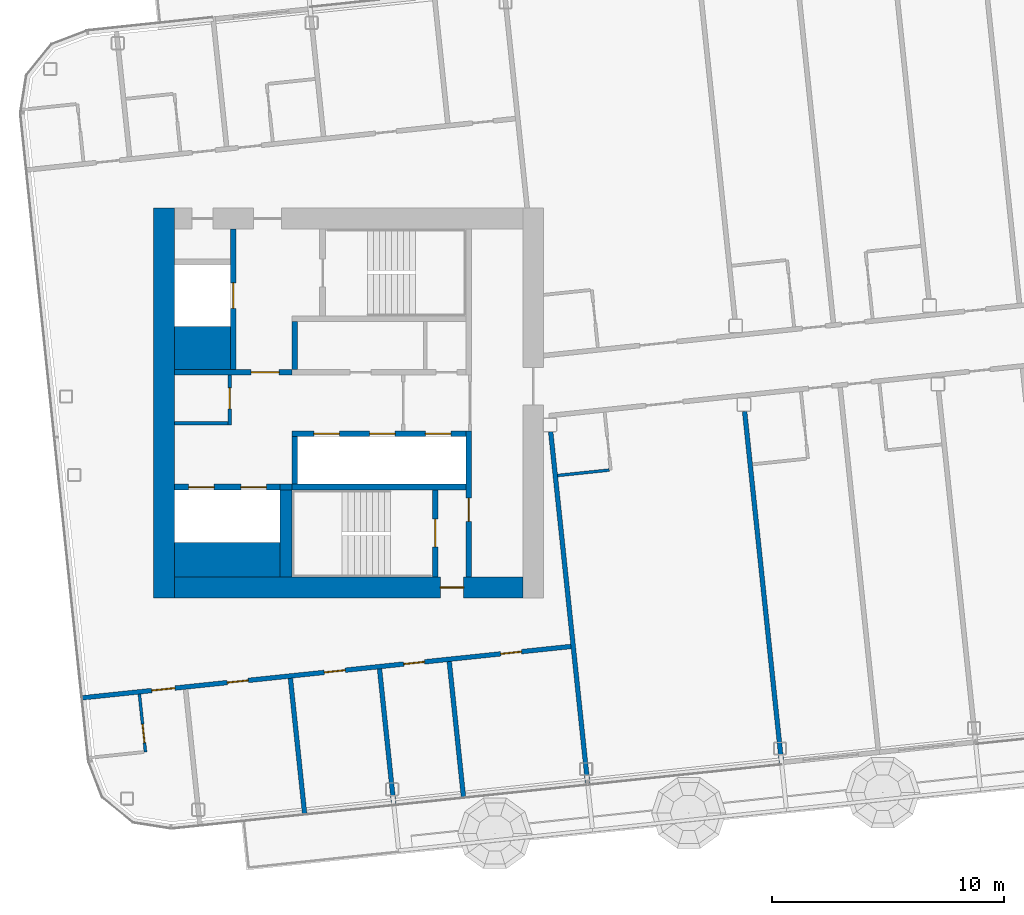
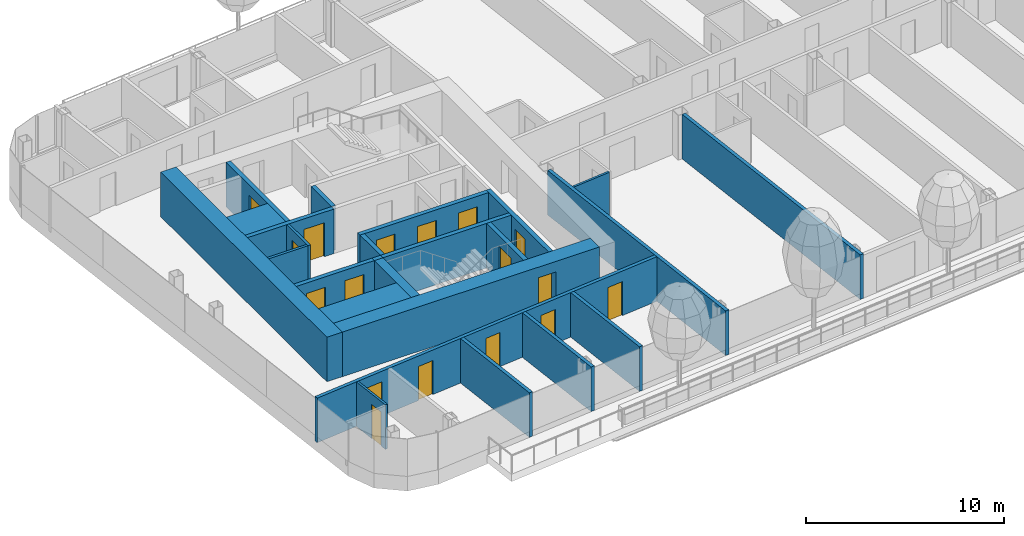
# One storey, part 12 of 30: 25 walls, 17 doors, 17 openings.
"""IFC4 building model written with IfcOpenShell, lengths in metres."""

from ifc_helpers import new_model, si_unit, direction, frame, frame_2d, origin, place, context, subcontext, project, spatial, rectangle, extrude, material, layer, layer_set, type_object, element, fill, save


model = new_model("IFC4")

# Units and contexts
model_context = context("Model", 3, precision=1e-05, world=origin(), true_north=direction((0.0, 1.0)))
body_context = subcontext(model_context, "Body", "Model", "MODEL_VIEW")
ifc_project = project(units=[si_unit("LENGTHUNIT", "METRE"), si_unit("AREAUNIT", "SQUARE_METRE"), si_unit("VOLUMEUNIT", "CUBIC_METRE"), si_unit("PLANEANGLEUNIT", "RADIAN"), si_unit("MASSUNIT", "GRAM", prefix="KILO")], contexts=[model_context])

# Site, building, storey
site_placement = place(None, origin())
site = spatial("IfcSite", under=ifc_project, at=site_placement, CompositionType="ELEMENT")
building_placement = place(site_placement, origin())
building = spatial("IfcBuilding", under=site, at=building_placement, Name="Hakoniwa Tower and Hamabe Station Hall", CompositionType="ELEMENT")
storey_placement = place(building_placement, frame((0.0, 0.0, 245.39990234375)))
storey = spatial("IfcBuildingStorey", under=building, at=storey_placement, Name="L69", CompositionType="ELEMENT", Elevation=245.39990234375)

# Wall, opening, door
ifc_material_1 = material(Name="Gypsum board partition", Category="gypsum")
ifc_layer_1 = layer(ifc_material_1, 0.125)
ifc_layer_set_1 = layer_set([ifc_layer_1], Name="Bathroom Partition 125")
wall_type_1 = type_object("IfcWallType", Name="Bathroom Partition 125", PredefinedType="PARTITIONING", material=ifc_layer_set_1)
wall_1_placement = place(storey_placement, frame((-33.95361328125, -15.029296875, 0.0), z_axis=(0.0, 0.0, 1.0), x_axis=(-0.104588199498, 0.994515615024, 0.0)))
wall_1 = element("IfcWall", 1, at=wall_1_placement, inside=storey, type_object=wall_type_1, Name="GW-L69-021", PredefinedType="PARTITIONING", context=body_context, shape_type="SweptSolid", body=[
    extrude(rectangle(XDim=2.5, YDim=0.125, at=frame_2d((1.25, 0.0))), origin(), (0.0, 0.0, 1.0), 2.75),
])
opening_1_placement = place(wall_1_placement, frame((0.39990234375, 0.0, 0.0)))
opening_1 = element("IfcOpeningElement", 2, at=opening_1_placement, cuts=wall_1, Name="Opening GD-G5C0-29", PredefinedType="OPENING", context=body_context, shape_type="SweptSolid", body=[
    extrude(rectangle(XDim=0.800048828125, YDim=2.10009765625, at=frame_2d((0.39990234375, 1.050048828125))), frame((0.0, 0.072509765625, 0.0), z_axis=(0.0, -1.0, 0.0), x_axis=(1.0, 0.0, 0.0)), (0.0, 0.0, 1.0), 0.14501953125),
])
ifc_material_2 = material(Name="Timber door leaf", Category="wood")
door_type_1 = type_object("IfcDoorType", Name="Bathroom Door 800", OperationType="SINGLE_SWING_LEFT", PredefinedType="DOOR", material=ifc_material_2)
door_1_placement = place(opening_1_placement, origin())
door_1 = element("IfcDoor", 3, at=door_1_placement, inside=storey, type_object=door_type_1, Name="Door GD-G5C0-29", OperationType="SINGLE_SWING_RIGHT", OverallHeight=2.10009765625, OverallWidth=0.800048828125, PredefinedType="DOOR", context=body_context, shape_type="SweptSolid", body=[
    extrude(rectangle(XDim=0.800048828125, YDim=2.10009765625, at=frame_2d((0.39990234375, 1.050048828125))), frame((0.0, 0.02490234375, 0.0), z_axis=(0.0, -1.0, 0.0), x_axis=(1.0, 0.0, 0.0)), (0.0, 0.0, 1.0), 0.050048828125),
])
fill(opening_1, door_1)

ifc_material_3 = material(Name="Gypsum board partition")
ifc_layer_2 = layer(ifc_material_3, 0.14990234375)
ifc_layer_set_2 = layer_set([ifc_layer_2], Name="CORE PARTITION 150 EI 60")
wall_type_2 = type_object("IfcWallType", Name="CORE PARTITION 150 EI 60", PredefinedType="PARTITIONING", material=ifc_layer_set_2)
wall_2_placement = place(storey_placement, frame((-30.324951171875, -0.949951171875, 0.0), z_axis=(0.0, 0.0, 1.0), x_axis=(0.0, 1.0, 0.0)))
wall_2 = element("IfcWall", 4, at=wall_2_placement, inside=storey, type_object=wall_type_2, Name="Core partition PW0 west", PredefinedType="PARTITIONING", context=body_context, shape_type="SweptSolid", body=[
    extrude(rectangle(XDim=2.14990234375, YDim=0.14990234375, at=frame_2d((1.074951171875, 0.0))), origin(), (0.0, 0.0, 1.0), 2.75),
])
opening_2_placement = place(wall_2_placement, frame((0.699951171875, 0.0, 0.0)))
opening_2 = element("IfcOpeningElement", 5, at=opening_2_placement, cuts=wall_2, Name="Opening CD-W-RM1-9", PredefinedType="OPENING", context=body_context, shape_type="SweptSolid", body=[
    extrude(rectangle(XDim=0.89990234375, YDim=2.10009765625, at=frame_2d((0.449951171875, 1.050048828125))), frame((0.0, 0.0849609375, 0.0), z_axis=(0.0, -1.0, 0.0), x_axis=(1.0, 0.0, 0.0)), (0.0, 0.0, 1.0), 0.169921875),
])
ifc_material_4 = material(Name="Steel fire door", Category="steel")
door_type_2 = type_object("IfcDoorType", Name="CORE DOOR 900 FD30", OperationType="NOTDEFINED", PredefinedType="DOOR", material=ifc_material_4)
door_2_placement = place(opening_2_placement, origin())
door_2 = element("IfcDoor", 6, at=door_2_placement, inside=storey, type_object=door_type_2, Name="Store room door", OperationType="SINGLE_SWING_LEFT", OverallHeight=2.10009765625, OverallWidth=0.89990234375, PredefinedType="DOOR", context=body_context, shape_type="SweptSolid", body=[
    extrude(rectangle(XDim=0.89990234375, YDim=2.10009765625, at=frame_2d((0.449951171875, 1.050048828125))), frame((0.0, 0.02490234375, 0.0), z_axis=(0.0, -1.0, 0.0), x_axis=(1.0, 0.0, 0.0)), (0.0, 0.0, 1.0), 0.050048828125),
])
fill(opening_2, door_2)

# Walls
wall_3_placement = place(storey_placement, frame((-32.699951171875, -0.875, 0.0), z_axis=(0.0, 0.0, 1.0), x_axis=(1.0, 0.0, 0.0)))
element("IfcWall", 7, at=wall_3_placement, inside=storey, type_object=wall_type_2, Name="Core partition PS west", PredefinedType="PARTITIONING", context=body_context, shape_type="SweptSolid", body=[
    extrude(rectangle(XDim=2.300048828125, YDim=0.14990234375, at=frame_2d((1.14990234375, 0.0))), origin(), (0.0, 0.0, 1.0), 2.75),
])
ifc_material_5 = material(Name="Concrete C60", Category="concrete")
ifc_layer_3 = layer(ifc_material_5, 0.89990234375)
ifc_layer_set_3 = layer_set([ifc_layer_3], Name="CORE WALL 900 C60")
wall_type_3 = type_object("IfcWallType", Name="CORE WALL 900 C60", PredefinedType="SHEAR", material=ifc_layer_set_3)
wall_4_placement = place(storey_placement, frame((-33.14990234375, -8.39990234375, 0.0), z_axis=(0.0, 0.0, 1.0), x_axis=(0.0, 1.0, 0.0)))
element("IfcWall", 8, at=wall_4_placement, inside=storey, type_object=wall_type_3, Name="Core wall OUTER west", PredefinedType="SHEAR", context=body_context, shape_type="SweptSolid", body=[
    extrude(rectangle(XDim=16.7998046875, YDim=0.89990234375, at=frame_2d((8.39990234375, 0.0))), origin(), (0.0, 0.0, 1.0), 2.75),
])

# Wall, opening, door
wall_5_placement = place(storey_placement, frame((-32.699951171875, -7.949951171875, 0.0), z_axis=(0.0, 0.0, 1.0), x_axis=(1.0, 0.0, 0.0)))
wall_5 = element("IfcWall", 9, at=wall_5_placement, inside=storey, type_object=wall_type_3, Name="Core wall SOUTH west", PredefinedType="SHEAR", context=body_context, shape_type="SweptSolid", body=[
    extrude(rectangle(XDim=15.0, YDim=0.89990234375, at=frame_2d((7.5, 0.0))), origin(), (0.0, 0.0, 1.0), 2.75),
])
opening_3_placement = place(wall_5_placement, frame((11.449951171875, 0.0, 0.0)))
opening_3 = element("IfcOpeningElement", 10, at=opening_3_placement, cuts=wall_5, Name="Opening CD-W-FS3-10", PredefinedType="OPENING", context=body_context, shape_type="SweptSolid", body=[
    extrude(rectangle(XDim=1.0, YDim=2.10009765625, at=frame_2d((0.5, 1.050048828125))), frame((0.0, 0.4599609375, 0.0), z_axis=(0.0, -1.0, 0.0), x_axis=(1.0, 0.0, 0.0)), (0.0, 0.0, 1.0), 0.919921875),
])
ifc_material_6 = material(Name="Steel fire door", Category="steel")
door_type_3 = type_object("IfcDoorType", Name="CORE DOOR 1000 FD60", OperationType="NOTDEFINED", PredefinedType="DOOR", material=ifc_material_6)
door_3_placement = place(opening_3_placement, origin())
door_3 = element("IfcDoor", 11, at=door_3_placement, inside=storey, type_object=door_type_3, Name="Stair vestibule door", OperationType="SINGLE_SWING_RIGHT", OverallHeight=2.10009765625, OverallWidth=1.0, PredefinedType="DOOR", context=body_context, shape_type="SweptSolid", body=[
    extrude(rectangle(XDim=1.0, YDim=2.10009765625, at=frame_2d((0.5, 1.050048828125))), frame((0.0, 0.02490234375, 0.0), z_axis=(0.0, -1.0, 0.0), x_axis=(1.0, 0.0, 0.0)), (0.0, 0.0, 1.0), 0.050048828125),
])
fill(opening_3, door_3)

# Walls
ifc_material_7 = material(Name="Concrete C60", Category="concrete")
ifc_layer_4 = layer(ifc_material_7, 1.5)
ifc_layer_set_4 = layer_set([ifc_layer_4], Name="CORE WEB WALL 1500 C60")
wall_type_4 = type_object("IfcWallType", Name="CORE WEB WALL 1500 C60", PredefinedType="SHEAR", material=ifc_layer_set_4)
wall_6_placement = place(storey_placement, frame((-32.699951171875, -6.75, 0.0), z_axis=(0.0, 0.0, 1.0), x_axis=(1.0, 0.0, 0.0)))
element("IfcWall", 12, at=wall_6_placement, inside=storey, type_object=wall_type_4, Name="Core wall SER west", PredefinedType="SHEAR", context=body_context, shape_type="SweptSolid", body=[
    extrude(rectangle(XDim=4.550048828125, YDim=1.5, at=frame_2d((2.27490234375, 0.0))), origin(), (0.0, 0.0, 1.0), 2.75),
])
ifc_material_8 = material(Name="Concrete C60", Category="concrete")
ifc_layer_5 = layer(ifc_material_8, 1.85009765625)
ifc_layer_set_5 = layer_set([ifc_layer_5], Name="CORE WEB WALL 1850 C60")
wall_type_5 = type_object("IfcWallType", Name="CORE WEB WALL 1850 C60", PredefinedType="SHEAR", material=ifc_layer_set_5)
wall_7_placement = place(storey_placement, frame((-32.699951171875, 2.375, 0.0), z_axis=(0.0, 0.0, 1.0), x_axis=(1.0, 0.0, 0.0)))
element("IfcWall", 13, at=wall_7_placement, inside=storey, type_object=wall_type_5, Name="Core wall CA west", PredefinedType="SHEAR", context=body_context, shape_type="SweptSolid", body=[
    extrude(rectangle(XDim=2.39990234375, YDim=1.85009765625, at=frame_2d((1.199951171875, 0.0))), origin(), (0.0, 0.0, 1.0), 2.75),
])

# Wall, opening, door
ifc_material_9 = material(Name="Concrete C60", Category="concrete")
ifc_layer_6 = layer(ifc_material_9, 0.25)
ifc_layer_set_6 = layer_set([ifc_layer_6], Name="CORE WEB WALL 250 C60")
wall_type_6 = type_object("IfcWallType", Name="CORE WEB WALL 250 C60", PredefinedType="SHEAR", material=ifc_layer_set_6)
wall_8_placement = place(storey_placement, frame((-20.02490234375, -7.5, 0.0), z_axis=(0.0, 0.0, 1.0), x_axis=(0.0, 1.0, 0.0)))
wall_8 = element("IfcWall", 14, at=wall_8_placement, inside=storey, type_object=wall_type_6, Name="Core wall W1S west", PredefinedType="SHEAR", context=body_context, shape_type="SweptSolid", body=[
    extrude(rectangle(XDim=6.300048828125, YDim=0.25, at=frame_2d((3.14990234375, 0.0))), origin(), (0.0, 0.0, 1.0), 2.75),
])
opening_4_placement = place(wall_8_placement, frame((2.39990234375, 0.0, 0.0)))
opening_4 = element("IfcOpeningElement", 15, at=opening_4_placement, cuts=wall_8, Name="Opening CD-W-VS-10", PredefinedType="OPENING", context=body_context, shape_type="SweptSolid", body=[
    extrude(rectangle(XDim=1.0, YDim=2.10009765625, at=frame_2d((0.5, 1.050048828125))), frame((0.0, 0.135009765625, 0.0), z_axis=(0.0, -1.0, 0.0), x_axis=(1.0, 0.0, 0.0)), (0.0, 0.0, 1.0), 0.27001953125),
])
door_4_placement = place(opening_4_placement, origin())
door_4 = element("IfcDoor", 16, at=door_4_placement, inside=storey, type_object=door_type_3, Name="Stair vestibule door", OperationType="SINGLE_SWING_LEFT", OverallHeight=2.10009765625, OverallWidth=1.0, PredefinedType="DOOR", context=body_context, shape_type="SweptSolid", body=[
    extrude(rectangle(XDim=1.0, YDim=2.10009765625, at=frame_2d((0.5, 1.050048828125))), frame((0.0, 0.02490234375, 0.0), z_axis=(0.0, -1.0, 0.0), x_axis=(1.0, 0.0, 0.0)), (0.0, 0.0, 1.0), 0.050048828125),
])
fill(opening_4, door_4)

# Wall
wall_9_placement = place(storey_placement, frame((-27.52490234375, 1.449951171875, 0.0), z_axis=(0.0, 0.0, 1.0), x_axis=(0.0, 1.0, 0.0)))
element("IfcWall", 17, at=wall_9_placement, inside=storey, type_object=wall_type_6, Name="Core wall NE west", PredefinedType="SHEAR", context=body_context, shape_type="SweptSolid", body=[
    extrude(rectangle(XDim=2.050048828125, YDim=0.25, at=frame_2d((1.02490234375, 0.0))), origin(), (0.0, 0.0, 1.0), 2.75),
])

# Wall, opening, door
wall_10_placement = place(storey_placement, frame((-32.699951171875, 1.324951171875, 0.0), z_axis=(0.0, 0.0, 1.0), x_axis=(1.0, 0.0, 0.0)))
wall_10 = element("IfcWall", 18, at=wall_10_placement, inside=storey, type_object=wall_type_6, Name="Core wall ELN west", PredefinedType="SHEAR", context=body_context, shape_type="SweptSolid", body=[
    extrude(rectangle(XDim=5.050048828125, YDim=0.25, at=frame_2d((2.52490234375, 0.0))), origin(), (0.0, 0.0, 1.0), 2.75),
])
opening_5_placement = place(wall_10_placement, frame((3.300048828125, 0.0, 0.0)))
opening_5 = element("IfcOpeningElement", 19, at=opening_5_placement, cuts=wall_10, Name="Opening CD-W-FL-12", PredefinedType="OPENING", context=body_context, shape_type="SweptSolid", body=[
    extrude(rectangle(XDim=1.199951171875, YDim=2.10009765625, at=frame_2d((0.60009765625, 1.050048828125))), frame((0.0, 0.135009765625, 0.0), z_axis=(0.0, -1.0, 0.0), x_axis=(1.0, 0.0, 0.0)), (0.0, 0.0, 1.0), 0.27001953125),
])
ifc_material_10 = material(Name="Steel fire door", Category="steel")
door_type_4 = type_object("IfcDoorType", Name="CORE DOOR 1200 FD60", OperationType="DOUBLE_DOOR_SINGLE_SWING", PredefinedType="DOOR", material=ifc_material_10)
door_5_placement = place(opening_5_placement, origin())
door_5 = element("IfcDoor", 20, at=door_5_placement, inside=storey, type_object=door_type_4, Name="Stair vestibule door to the fire-fighting lobby", OperationType="DOUBLE_DOOR_SINGLE_SWING", OverallHeight=2.10009765625, OverallWidth=1.199951171875, PredefinedType="DOOR", context=body_context, shape_type="SweptSolid", body=[
    extrude(rectangle(XDim=1.199951171875, YDim=2.10009765625, at=frame_2d((0.60009765625, 1.050048828125))), frame((0.0, 0.02490234375, 0.0), z_axis=(0.0, -1.0, 0.0), x_axis=(1.0, 0.0, 0.0)), (0.0, 0.0, 1.0), 0.050048828125),
])
fill(opening_5, door_5)

wall_11_placement = place(storey_placement, frame((-30.175048828125, 1.449951171875, 0.0), z_axis=(0.0, 0.0, 1.0), x_axis=(0.0, 1.0, 0.0)))
wall_11 = element("IfcWall", 21, at=wall_11_placement, inside=storey, type_object=wall_type_6, Name="Core wall FFF west", PredefinedType="SHEAR", context=body_context, shape_type="SweptSolid", body=[
    extrude(rectangle(XDim=6.050048828125, YDim=0.25, at=frame_2d((3.02490234375, 0.0))), origin(), (0.0, 0.0, 1.0), 2.75),
])
opening_6_placement = place(wall_11_placement, frame((2.625, 0.0, 0.0)))
opening_6 = element("IfcOpeningElement", 22, at=opening_6_placement, cuts=wall_11, Name="Opening LD-FF1", PredefinedType="OPENING", context=body_context, shape_type="SweptSolid", body=[
    extrude(rectangle(XDim=1.10009765625, YDim=2.10009765625, at=frame_2d((0.550048828125, 1.050048828125))), frame((0.0, 0.135009765625, 0.0), z_axis=(0.0, -1.0, 0.0), x_axis=(1.0, 0.0, 0.0)), (0.0, 0.0, 1.0), 0.27001953125),
])
ifc_material_11 = material(Name="Stainless steel SUS304", Category="steel")
door_type_5 = type_object("IfcDoorType", Name="LIFT LANDING DOOR 1100 FD60", OperationType="DOUBLE_DOOR_SLIDING", PredefinedType="DOOR", material=ifc_material_11)
door_6_placement = place(opening_6_placement, origin())
door_6 = element("IfcDoor", 23, at=door_6_placement, inside=storey, type_object=door_type_5, Name="Lift landing door FF1 L69", OperationType="DOUBLE_DOOR_SLIDING", OverallHeight=2.10009765625, OverallWidth=1.10009765625, PredefinedType="DOOR", context=body_context, shape_type="SweptSolid", body=[
    extrude(rectangle(XDim=1.10009765625, YDim=2.10009765625, at=frame_2d((0.550048828125, 1.050048828125))), frame((0.0, 0.02490234375, 0.0), z_axis=(0.0, -1.0, 0.0), x_axis=(1.0, 0.0, 0.0)), (0.0, 0.0, 1.0), 0.050048828125),
])
fill(opening_6, door_6)

# Wall, openings, doors
wall_12_placement = place(storey_placement, frame((-27.64990234375, -1.324951171875, 0.0), z_axis=(0.0, 0.0, 1.0), x_axis=(1.0, 0.0, 0.0)))
wall_12 = element("IfcWall", 24, at=wall_12_placement, inside=storey, type_object=wall_type_6, Name="Core wall SF west", PredefinedType="SHEAR", context=body_context, shape_type="SweptSolid", body=[
    extrude(rectangle(XDim=7.5, YDim=0.25, at=frame_2d((3.75, 0.0))), origin(), (0.0, 0.0, 1.0), 2.75),
])
opening_7_placement = place(wall_12_placement, frame((5.75, 0.0, 0.0)))
opening_7 = element("IfcOpeningElement", 25, at=opening_7_placement, cuts=wall_12, Name="Opening LD-HR1", PredefinedType="OPENING", context=body_context, shape_type="SweptSolid", body=[
    extrude(rectangle(XDim=1.10009765625, YDim=2.10009765625, at=frame_2d((0.550048828125, 1.050048828125))), frame((0.0, 0.135009765625, 0.0), z_axis=(0.0, -1.0, 0.0), x_axis=(1.0, 0.0, 0.0)), (0.0, 0.0, 1.0), 0.27001953125),
])
opening_8_placement = place(wall_12_placement, frame((3.35009765625, 0.0, 0.0)))
opening_8 = element("IfcOpeningElement", 26, at=opening_8_placement, cuts=wall_12, Name="Opening LD-HR2", PredefinedType="OPENING", context=body_context, shape_type="SweptSolid", body=[
    extrude(rectangle(XDim=1.10009765625, YDim=2.10009765625, at=frame_2d((0.550048828125, 1.050048828125))), frame((0.0, 0.135009765625, 0.0), z_axis=(0.0, -1.0, 0.0), x_axis=(1.0, 0.0, 0.0)), (0.0, 0.0, 1.0), 0.27001953125),
])
opening_9_placement = place(wall_12_placement, frame((0.949951171875, 0.0, 0.0)))
opening_9 = element("IfcOpeningElement", 27, at=opening_9_placement, cuts=wall_12, Name="Opening LD-HR3", PredefinedType="OPENING", context=body_context, shape_type="SweptSolid", body=[
    extrude(rectangle(XDim=1.10009765625, YDim=2.10009765625, at=frame_2d((0.550048828125, 1.050048828125))), frame((0.0, 0.135009765625, 0.0), z_axis=(0.0, -1.0, 0.0), x_axis=(1.0, 0.0, 0.0)), (0.0, 0.0, 1.0), 0.27001953125),
])
door_7_placement = place(opening_7_placement, origin())
door_7 = element("IfcDoor", 28, at=door_7_placement, inside=storey, type_object=door_type_5, Name="Lift landing door HR1 L69", OperationType="DOUBLE_DOOR_SLIDING", OverallHeight=2.10009765625, OverallWidth=1.10009765625, PredefinedType="DOOR", context=body_context, shape_type="SweptSolid", body=[
    extrude(rectangle(XDim=1.10009765625, YDim=2.10009765625, at=frame_2d((0.550048828125, 1.050048828125))), frame((0.0, 0.02490234375, 0.0), z_axis=(0.0, -1.0, 0.0), x_axis=(1.0, 0.0, 0.0)), (0.0, 0.0, 1.0), 0.050048828125),
])
fill(opening_7, door_7)
door_8_placement = place(opening_8_placement, origin())
door_8 = element("IfcDoor", 29, at=door_8_placement, inside=storey, type_object=door_type_5, Name="Lift landing door HR2 L69", OperationType="DOUBLE_DOOR_SLIDING", OverallHeight=2.10009765625, OverallWidth=1.10009765625, PredefinedType="DOOR", context=body_context, shape_type="SweptSolid", body=[
    extrude(rectangle(XDim=1.10009765625, YDim=2.10009765625, at=frame_2d((0.550048828125, 1.050048828125))), frame((0.0, 0.02490234375, 0.0), z_axis=(0.0, -1.0, 0.0), x_axis=(1.0, 0.0, 0.0)), (0.0, 0.0, 1.0), 0.050048828125),
])
fill(opening_8, door_8)
door_9_placement = place(opening_9_placement, origin())
door_9 = element("IfcDoor", 30, at=door_9_placement, inside=storey, type_object=door_type_5, Name="Lift landing door HR3 L69", OperationType="DOUBLE_DOOR_SLIDING", OverallHeight=2.10009765625, OverallWidth=1.10009765625, PredefinedType="DOOR", context=body_context, shape_type="SweptSolid", body=[
    extrude(rectangle(XDim=1.10009765625, YDim=2.10009765625, at=frame_2d((0.550048828125, 1.050048828125))), frame((0.0, 0.02490234375, 0.0), z_axis=(0.0, -1.0, 0.0), x_axis=(1.0, 0.0, 0.0)), (0.0, 0.0, 1.0), 0.050048828125),
])
fill(opening_9, door_9)

# Walls
wall_13_placement = place(storey_placement, frame((-27.52490234375, -3.5, 0.0), z_axis=(0.0, 0.0, 1.0), x_axis=(0.0, 1.0, 0.0)))
element("IfcWall", 31, at=wall_13_placement, inside=storey, type_object=wall_type_6, Name="Core wall SE west", PredefinedType="SHEAR", context=body_context, shape_type="SweptSolid", body=[
    extrude(rectangle(XDim=2.050048828125, YDim=0.25, at=frame_2d((1.02490234375, 0.0))), origin(), (0.0, 0.0, 1.0), 2.75),
])
wall_14_placement = place(storey_placement, frame((-27.64990234375, -3.625, 0.0), z_axis=(0.0, 0.0, 1.0), x_axis=(1.0, 0.0, 0.0)))
element("IfcWall", 32, at=wall_14_placement, inside=storey, type_object=wall_type_6, Name="Core wall SR west", PredefinedType="SHEAR", context=body_context, shape_type="SweptSolid", body=[
    extrude(rectangle(XDim=7.5, YDim=0.25, at=frame_2d((3.75, 0.0))), origin(), (0.0, 0.0, 1.0), 2.75),
])

# Wall, opening, door
wall_15_placement = place(storey_placement, frame((-21.47509765625, -7.5, 0.0), z_axis=(0.0, 0.0, 1.0), x_axis=(0.0, 1.0, 0.0)))
wall_15 = element("IfcWall", 33, at=wall_15_placement, inside=storey, type_object=wall_type_6, Name="Core wall VE west", PredefinedType="SHEAR", context=body_context, shape_type="SweptSolid", body=[
    extrude(rectangle(XDim=3.75, YDim=0.25, at=frame_2d((1.875, 0.0))), origin(), (0.0, 0.0, 1.0), 2.75),
])
opening_10_placement = place(wall_15_placement, frame((1.300048828125, 0.0, 0.0)))
opening_10 = element("IfcOpeningElement", 34, at=opening_10_placement, cuts=wall_15, Name="Opening CD-W-SS-12", PredefinedType="OPENING", context=body_context, shape_type="SweptSolid", body=[
    extrude(rectangle(XDim=1.199951171875, YDim=2.10009765625, at=frame_2d((0.60009765625, 1.050048828125))), frame((0.0, 0.135009765625, 0.0), z_axis=(0.0, -1.0, 0.0), x_axis=(1.0, 0.0, 0.0)), (0.0, 0.0, 1.0), 0.27001953125),
])
door_10_placement = place(opening_10_placement, origin())
door_10 = element("IfcDoor", 35, at=door_10_placement, inside=storey, type_object=door_type_4, Name="Escape stair door", OperationType="DOUBLE_DOOR_SINGLE_SWING", OverallHeight=2.10009765625, OverallWidth=1.199951171875, PredefinedType="DOOR", context=body_context, shape_type="SweptSolid", body=[
    extrude(rectangle(XDim=1.199951171875, YDim=2.10009765625, at=frame_2d((0.60009765625, 1.050048828125))), frame((0.0, 0.02490234375, 0.0), z_axis=(0.0, -1.0, 0.0), x_axis=(1.0, 0.0, 0.0)), (0.0, 0.0, 1.0), 0.050048828125),
])
fill(opening_10, door_10)

# Wall, openings, doors
wall_16_placement = place(storey_placement, frame((-32.699951171875, -3.625, 0.0), z_axis=(0.0, 0.0, 1.0), x_axis=(1.0, 0.0, 0.0)))
wall_16 = element("IfcWall", 36, at=wall_16_placement, inside=storey, type_object=wall_type_6, Name="Core wall SEF west", PredefinedType="SHEAR", context=body_context, shape_type="SweptSolid", body=[
    extrude(rectangle(XDim=4.550048828125, YDim=0.25, at=frame_2d((2.27490234375, 0.0))), origin(), (0.0, 0.0, 1.0), 2.75),
])
opening_11_placement = place(wall_16_placement, frame((2.85009765625, 0.0, 0.0)))
opening_11 = element("IfcOpeningElement", 37, at=opening_11_placement, cuts=wall_16, Name="Opening LD-SV1", PredefinedType="OPENING", context=body_context, shape_type="SweptSolid", body=[
    extrude(rectangle(XDim=1.10009765625, YDim=2.10009765625, at=frame_2d((0.550048828125, 1.050048828125))), frame((0.0, 0.135009765625, 0.0), z_axis=(0.0, -1.0, 0.0), x_axis=(1.0, 0.0, 0.0)), (0.0, 0.0, 1.0), 0.27001953125),
])
opening_12_placement = place(wall_16_placement, frame((0.60009765625, 0.0, 0.0)))
opening_12 = element("IfcOpeningElement", 38, at=opening_12_placement, cuts=wall_16, Name="Opening LD-SV2", PredefinedType="OPENING", context=body_context, shape_type="SweptSolid", body=[
    extrude(rectangle(XDim=1.10009765625, YDim=2.10009765625, at=frame_2d((0.550048828125, 1.050048828125))), frame((0.0, 0.135009765625, 0.0), z_axis=(0.0, -1.0, 0.0), x_axis=(1.0, 0.0, 0.0)), (0.0, 0.0, 1.0), 0.27001953125),
])
door_11_placement = place(opening_11_placement, origin())
door_11 = element("IfcDoor", 39, at=door_11_placement, inside=storey, type_object=door_type_5, Name="Lift landing door SV1 L69", OperationType="DOUBLE_DOOR_SLIDING", OverallHeight=2.10009765625, OverallWidth=1.10009765625, PredefinedType="DOOR", context=body_context, shape_type="SweptSolid", body=[
    extrude(rectangle(XDim=1.10009765625, YDim=2.10009765625, at=frame_2d((0.550048828125, 1.050048828125))), frame((0.0, 0.02490234375, 0.0), z_axis=(0.0, -1.0, 0.0), x_axis=(1.0, 0.0, 0.0)), (0.0, 0.0, 1.0), 0.050048828125),
])
fill(opening_11, door_11)
door_12_placement = place(opening_12_placement, origin())
door_12 = element("IfcDoor", 40, at=door_12_placement, inside=storey, type_object=door_type_5, Name="Lift landing door SV2 L69", OperationType="DOUBLE_DOOR_SLIDING", OverallHeight=2.10009765625, OverallWidth=1.10009765625, PredefinedType="DOOR", context=body_context, shape_type="SweptSolid", body=[
    extrude(rectangle(XDim=1.10009765625, YDim=2.10009765625, at=frame_2d((0.550048828125, 1.050048828125))), frame((0.0, 0.02490234375, 0.0), z_axis=(0.0, -1.0, 0.0), x_axis=(1.0, 0.0, 0.0)), (0.0, 0.0, 1.0), 0.050048828125),
])
fill(opening_12, door_12)

# Walls
wall_17_placement = place(storey_placement, frame((-28.14990234375, -3.625, 0.0), z_axis=(0.0, 0.0, 1.0), x_axis=(1.0, 0.0, 0.0)))
element("IfcWall", 41, at=wall_17_placement, inside=storey, type_object=wall_type_6, Name="Core wall SRK west", PredefinedType="SHEAR", context=body_context, shape_type="SweptSolid", body=[
    extrude(rectangle(XDim=0.5, YDim=0.25, at=frame_2d((0.25, 0.0))), origin(), (0.0, 0.0, 1.0), 2.75),
])
ifc_material_12 = material(Name="Concrete C60", Category="concrete")
ifc_layer_7 = layer(ifc_material_12, 0.5)
ifc_layer_set_7 = layer_set([ifc_layer_7], Name="CORE WEB WALL 500 C60")
wall_type_7 = type_object("IfcWallType", Name="CORE WEB WALL 500 C60", PredefinedType="SHEAR", material=ifc_layer_set_7)
wall_18_placement = place(storey_placement, frame((-27.89990234375, -7.5, 0.0), z_axis=(0.0, 0.0, 1.0), x_axis=(0.0, 1.0, 0.0)))
element("IfcWall", 42, at=wall_18_placement, inside=storey, type_object=wall_type_7, Name="Core wall SSE west", PredefinedType="SHEAR", context=body_context, shape_type="SweptSolid", body=[
    extrude(rectangle(XDim=3.75, YDim=0.5, at=frame_2d((1.875, 0.0))), origin(), (0.0, 0.0, 1.0), 2.75),
])

# Wall, openings, doors
ifc_material_13 = material(Name="Fire-rated gypsum board partition", Category="gypsum")
ifc_layer_8 = layer(ifc_material_13, 0.199951171875)
ifc_layer_set_8 = layer_set([ifc_layer_8], Name="Corridor Wall 200")
wall_type_8 = type_object("IfcWallType", Name="Corridor Wall 200", PredefinedType="PARTITIONING", material=ifc_layer_set_8)
wall_19_placement = place(storey_placement, frame((-36.711669921875, -12.704833984375, 0.0), z_axis=(0.0, 0.0, 1.0), x_axis=(0.994522460242, 0.104523088709, 0.0)))
wall_19 = element("IfcWall", 43, at=wall_19_placement, inside=storey, type_object=wall_type_8, Name="GW-L69-003", PredefinedType="PARTITIONING", context=body_context, shape_type="SweptSolid", body=[
    extrude(rectangle(XDim=21.2998046875, YDim=0.199951171875, at=frame_2d((10.64990234375, 0.0))), origin(), (0.0, 0.0, 1.0), 2.75),
])
opening_13_placement = place(wall_19_placement, frame((3.050048828125, 0.0, 0.0)))
opening_13 = element("IfcOpeningElement", 44, at=opening_13_placement, cuts=wall_19, Name="Opening GD-G5C0-01", PredefinedType="OPENING", context=body_context, shape_type="SweptSolid", body=[
    extrude(rectangle(XDim=1.0, YDim=2.10009765625, at=frame_2d((0.5, 1.050048828125))), frame((0.0, 0.10986328125, 0.0), z_axis=(0.0, -1.0, 0.0), x_axis=(1.0, 0.0, 0.0)), (0.0, 0.0, 1.0), 0.219970703125),
])
opening_14_placement = place(wall_19_placement, frame((6.320068359375, 0.0, 0.0)))
opening_14 = element("IfcOpeningElement", 45, at=opening_14_placement, cuts=wall_19, Name="Opening GD-G5C0-02", PredefinedType="OPENING", context=body_context, shape_type="SweptSolid", body=[
    extrude(rectangle(XDim=0.89990234375, YDim=2.10009765625, at=frame_2d((0.449951171875, 1.050048828125))), frame((0.0, 0.10986328125, 0.0), z_axis=(0.0, -1.0, 0.0), x_axis=(1.0, 0.0, 0.0)), (0.0, 0.0, 1.0), 0.219970703125),
])
opening_15_placement = place(wall_19_placement, frame((10.52001953125, 0.0, 0.0)))
opening_15 = element("IfcOpeningElement", 46, at=opening_15_placement, cuts=wall_19, Name="Opening GD-G5C0-03", PredefinedType="OPENING", context=body_context, shape_type="SweptSolid", body=[
    extrude(rectangle(XDim=0.89990234375, YDim=2.10009765625, at=frame_2d((0.449951171875, 1.050048828125))), frame((0.0, 0.10986328125, 0.0), z_axis=(0.0, -1.0, 0.0), x_axis=(1.0, 0.0, 0.0)), (0.0, 0.0, 1.0), 0.219970703125),
])
opening_16_placement = place(wall_19_placement, frame((13.9599609375, 0.0, 0.0)))
opening_16 = element("IfcOpeningElement", 47, at=opening_16_placement, cuts=wall_19, Name="Opening GD-G5C0-04", PredefinedType="OPENING", context=body_context, shape_type="SweptSolid", body=[
    extrude(rectangle(XDim=0.89990234375, YDim=2.10009765625, at=frame_2d((0.449951171875, 1.050048828125))), frame((0.0, 0.10986328125, 0.0), z_axis=(0.0, -1.0, 0.0), x_axis=(1.0, 0.0, 0.0)), (0.0, 0.0, 1.0), 0.219970703125),
])
opening_17_placement = place(wall_19_placement, frame((18.159912109375, 0.0, 0.0)))
opening_17 = element("IfcOpeningElement", 48, at=opening_17_placement, cuts=wall_19, Name="Opening GD-G5C0-05", PredefinedType="OPENING", context=body_context, shape_type="SweptSolid", body=[
    extrude(rectangle(XDim=0.89990234375, YDim=2.10009765625, at=frame_2d((0.449951171875, 1.050048828125))), frame((0.0, 0.10986328125, 0.0), z_axis=(0.0, -1.0, 0.0), x_axis=(1.0, 0.0, 0.0)), (0.0, 0.0, 1.0), 0.219970703125),
])
ifc_material_14 = material(Name="Timber door leaf", Category="wood")
door_type_6 = type_object("IfcDoorType", Name="Guest Entrance Door 1000", OperationType="SINGLE_SWING_LEFT", PredefinedType="DOOR", material=ifc_material_14)
door_13_placement = place(opening_13_placement, origin())
door_13 = element("IfcDoor", 49, at=door_13_placement, inside=storey, type_object=door_type_6, Name="Door GD-G5C0-01", OperationType="SINGLE_SWING_RIGHT", OverallHeight=2.10009765625, OverallWidth=1.0, PredefinedType="DOOR", context=body_context, shape_type="SweptSolid", body=[
    extrude(rectangle(XDim=1.0, YDim=2.10009765625, at=frame_2d((0.5, 1.050048828125))), frame((0.0, 0.02490234375, 0.0), z_axis=(0.0, -1.0, 0.0), x_axis=(1.0, 0.0, 0.0)), (0.0, 0.0, 1.0), 0.050048828125),
])
fill(opening_13, door_13)
ifc_material_15 = material(Name="Timber door leaf", Category="wood")
door_type_7 = type_object("IfcDoorType", Name="Service Door 900", OperationType="SINGLE_SWING_LEFT", PredefinedType="DOOR", material=ifc_material_15)
door_14_placement = place(opening_14_placement, origin())
door_14 = element("IfcDoor", 50, at=door_14_placement, inside=storey, type_object=door_type_7, Name="Door GD-G5C0-02", OperationType="SINGLE_SWING_LEFT", OverallHeight=2.10009765625, OverallWidth=0.89990234375, PredefinedType="DOOR", context=body_context, shape_type="SweptSolid", body=[
    extrude(rectangle(XDim=0.89990234375, YDim=2.10009765625, at=frame_2d((0.449951171875, 1.050048828125))), frame((0.0, 0.02490234375, 0.0), z_axis=(0.0, -1.0, 0.0), x_axis=(1.0, 0.0, 0.0)), (0.0, 0.0, 1.0), 0.050048828125),
])
fill(opening_14, door_14)
door_15_placement = place(opening_15_placement, origin())
door_15 = element("IfcDoor", 51, at=door_15_placement, inside=storey, type_object=door_type_7, Name="Door GD-G5C0-03", OperationType="SINGLE_SWING_RIGHT", OverallHeight=2.10009765625, OverallWidth=0.89990234375, PredefinedType="DOOR", context=body_context, shape_type="SweptSolid", body=[
    extrude(rectangle(XDim=0.89990234375, YDim=2.10009765625, at=frame_2d((0.449951171875, 1.050048828125))), frame((0.0, 0.02490234375, 0.0), z_axis=(0.0, -1.0, 0.0), x_axis=(1.0, 0.0, 0.0)), (0.0, 0.0, 1.0), 0.050048828125),
])
fill(opening_15, door_15)
door_16_placement = place(opening_16_placement, origin())
door_16 = element("IfcDoor", 52, at=door_16_placement, inside=storey, type_object=door_type_7, Name="Door GD-G5C0-04", OperationType="SINGLE_SWING_LEFT", OverallHeight=2.10009765625, OverallWidth=0.89990234375, PredefinedType="DOOR", context=body_context, shape_type="SweptSolid", body=[
    extrude(rectangle(XDim=0.89990234375, YDim=2.10009765625, at=frame_2d((0.449951171875, 1.050048828125))), frame((0.0, 0.02490234375, 0.0), z_axis=(0.0, -1.0, 0.0), x_axis=(1.0, 0.0, 0.0)), (0.0, 0.0, 1.0), 0.050048828125),
])
fill(opening_16, door_16)
door_17_placement = place(opening_17_placement, origin())
door_17 = element("IfcDoor", 53, at=door_17_placement, inside=storey, type_object=door_type_7, Name="Door GD-G5C0-05", OperationType="SINGLE_SWING_RIGHT", OverallHeight=2.10009765625, OverallWidth=0.89990234375, PredefinedType="DOOR", context=body_context, shape_type="SweptSolid", body=[
    extrude(rectangle(XDim=0.89990234375, YDim=2.10009765625, at=frame_2d((0.449951171875, 1.050048828125))), frame((0.0, 0.02490234375, 0.0), z_axis=(0.0, -1.0, 0.0), x_axis=(1.0, 0.0, 0.0)), (0.0, 0.0, 1.0), 0.050048828125),
])
fill(opening_17, door_17)

# Walls
ifc_material_16 = material(Name="Fire-rated gypsum board partition", Category="gypsum")
ifc_layer_9 = layer(ifc_material_16, 0.199951171875)
ifc_layer_set_9 = layer_set([ifc_layer_9], Name="Party Wall 200")
wall_type_9 = type_object("IfcWallType", Name="Party Wall 200", PredefinedType="PARTITIONING", material=ifc_layer_set_9)
wall_20_placement = place(storey_placement, frame((-27.092529296875, -17.742919921875, 0.0), z_axis=(0.0, 0.0, 1.0), x_axis=(-0.104532260673, 0.994521496238, 0.0)))
element("IfcWall", 54, at=wall_20_placement, inside=storey, type_object=wall_type_9, Name="GW-L69-027", PredefinedType="PARTITIONING", context=body_context, shape_type="SweptSolid", body=[
    extrude(rectangle(XDim=5.916015625, YDim=0.199951171875, at=frame_2d((2.9580078125, 0.0))), origin(), (0.0, 0.0, 1.0), 2.75),
])
for number, where, z_axis, x_axis, name in (
    (55, (-23.253662109375, -17.33935546875, 0.0), (0.0, 0.0, 1.0), (-0.10453655107, 0.994521045273, 0.0), "GW-L69-029"),
    (56, (-20.250244140625, -17.023681640625, 0.0), (0.0, 0.0, 1.0), (-0.10449573194, 0.994525335025, 0.0), "GW-L69-031"),
):
    element("IfcWall", number, at=place(storey_placement, frame(where, z_axis=z_axis, x_axis=x_axis)), inside=storey, type_object=wall_type_9, Name=name, PredefinedType="PARTITIONING", context=body_context, shape_type="SweptSolid", body=[
        extrude(rectangle(XDim=5.915771484375, YDim=0.199951171875, at=frame_2d((2.9580078125, 0.0))), origin(), (0.0, 0.0, 1.0), 2.75),
    ])
for number, where, z_axis, x_axis, name in (
    (57, (-14.899658203125, -16.46142578125, 0.0), (0.0, 0.0, 1.0), (-0.104523729364, 0.99452239291, 0.0), "GW-L69-033"),
    (58, (-6.545654296875, -15.583251953125, 0.0), (0.0, 0.0, 1.0), (-0.104523729364, 0.99452239291, 0.0), "GW-L69-037"),
):
    element("IfcWall", number, at=place(storey_placement, frame(where, z_axis=z_axis, x_axis=x_axis)), inside=storey, type_object=wall_type_9, Name=name, PredefinedType="PARTITIONING", context=body_context, shape_type="SweptSolid", body=[
        extrude(rectangle(XDim=15.308349609375, YDim=0.199951171875, at=frame_2d((7.654296875, 0.0))), origin(), (0.0, 0.0, 1.0), 2.75),
    ])
ifc_material_17 = material(Name="Gypsum board partition", Category="gypsum")
ifc_layer_10 = layer(ifc_material_17, 0.125)
ifc_layer_set_10 = layer_set([ifc_layer_10], Name="Room Partition 125")
wall_type_10 = type_object("IfcWallType", Name="Room Partition 125", PredefinedType="PARTITIONING", material=ifc_layer_set_10)
wall_21_placement = place(storey_placement, frame((-16.200927734375, -3.124267578125, 0.0), z_axis=(0.0, 0.0, 1.0), x_axis=(0.99452218011, 0.104525754092, 0.0)))
element("IfcWall", 59, at=wall_21_placement, inside=storey, type_object=wall_type_10, Name="GW-L69-006", PredefinedType="PARTITIONING", context=body_context, shape_type="SweptSolid", body=[
    extrude(rectangle(XDim=2.237548828125, YDim=0.125, at=frame_2d((1.11865234375, 0.0))), origin(), (0.0, 0.0, 1.0), 2.75),
])

save(model, "model.ifc")
